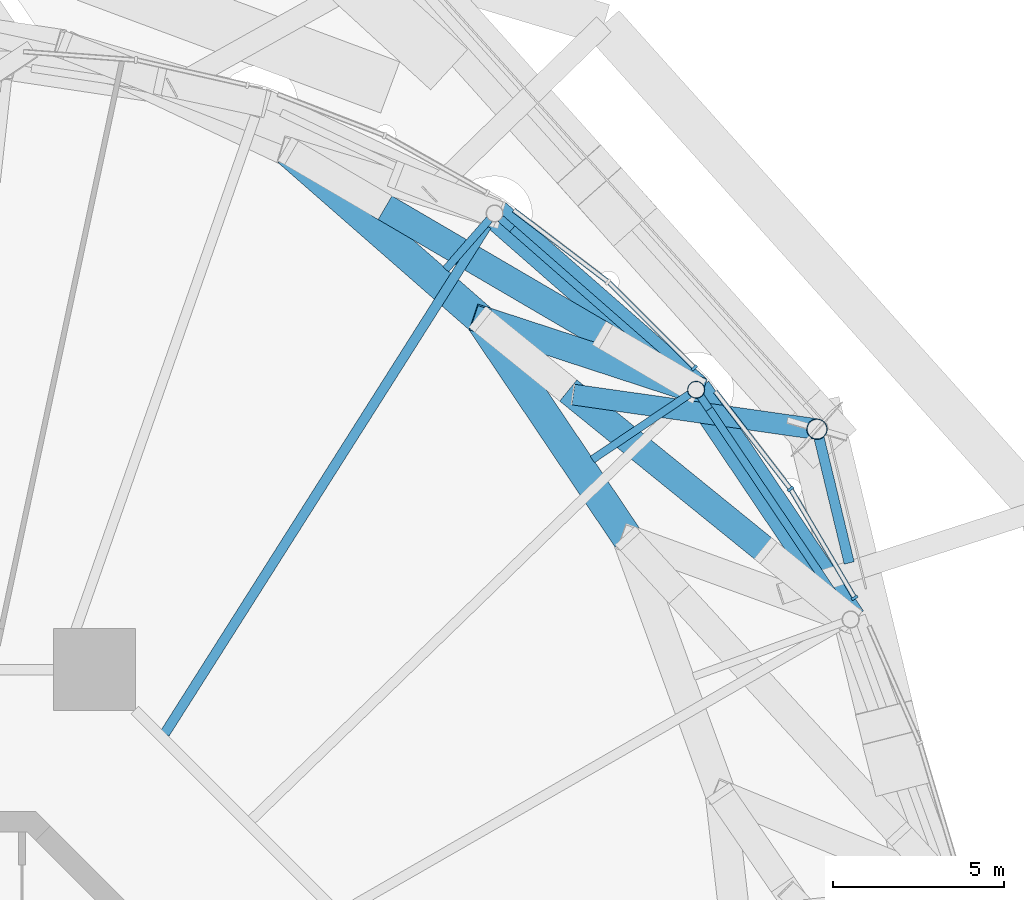
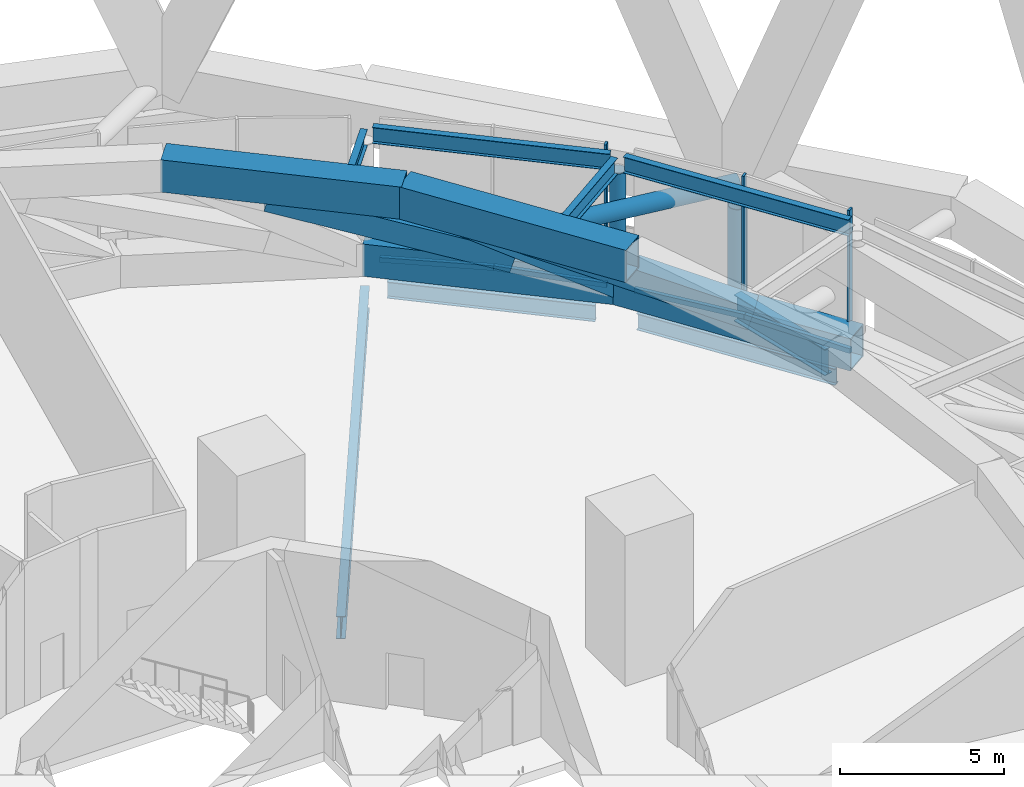
# One storey, part 21 of 51: 15 beams, 10 members, 4 elements without a shape of their own.
"""IFC4 building model written with IfcOpenShell, lengths in metres."""

from ifc_helpers import new_model, si_unit, direction, frame, origin, origin_2d, place, context, subcontext, project, spatial, rectangle, hollow_rectangle, hollow_circle, i_section, extrude, material, layer, layer_set, material_profile, profile_set, type_object, element, aggregate, save


model = new_model("IFC4")

# Units and contexts
model_context = context("Model", 3, precision=1e-05, world=origin(), true_north=direction((0.0, 1.0)))
body_context = subcontext(model_context, "Body", "Model", "MODEL_VIEW")
ifc_project = project(units=[si_unit("LENGTHUNIT", "METRE"), si_unit("AREAUNIT", "SQUARE_METRE"), si_unit("VOLUMEUNIT", "CUBIC_METRE"), si_unit("PLANEANGLEUNIT", "RADIAN"), si_unit("MASSUNIT", "GRAM", prefix="KILO")], contexts=[model_context])

# Site, building, storey
site_placement = place(None, origin())
site = spatial("IfcSite", under=ifc_project, at=site_placement, CompositionType="ELEMENT")
building_placement = place(site_placement, origin())
building = spatial("IfcBuilding", under=site, at=building_placement, Name="Nagisa Residences", CompositionType="ELEMENT")
storey_placement = place(building_placement, frame((0.0, 0.0, 67.699951171875)))
storey = spatial("IfcBuildingStorey", under=building, at=storey_placement, Name="L16", CompositionType="ELEMENT", Elevation=67.699951171875)

# Beams
ifc_material_1 = material(Name="Steel ASTM A572 Gr 50", Category="steel")
ifc_material_profile_1 = material_profile(ifc_material_1, hollow_rectangle(XDim=0.89990234375, YDim=1.199951171875, WallThickness=0.050048828125, at=origin_2d()), Name="BX 900x1200x50")
ifc_profile_set_1 = profile_set([ifc_material_profile_1], Name="Steel ASTM A572 Gr 50")
beam_type_1 = type_object("IfcBeamType", Name="Belt chord 1 BX 900x1200x50", PredefinedType="BEAM", material=ifc_profile_set_1)
beam_1_placement = place(storey_placement, frame((28.28173828125, 16.25, 0.60009765625), z_axis=(-0.558278389418, 0.829653686732, 0.0), x_axis=(-0.829653686732, -0.558278389418, 0.0)))
element("IfcBeam", 1, at=beam_1_placement, inside=storey, type_object=beam_type_1, Name="beam:L16:bt1b03", PredefinedType="BEAM", context=body_context, shape_type="SweptSolid", body=[
    extrude(hollow_rectangle(XDim=0.89990234375, YDim=1.199951171875, WallThickness=0.050048828125, at=origin_2d()), origin(), (0.0, 0.0, 1.0), 8.113037109375),
])
beam_2_placement = place(storey_placement, frame((21.75146484375, 18.625244140625, 4.739990234375), z_axis=(-0.558231952624, 0.829684932411, 0.0), x_axis=(-0.829684932411, -0.558231952624, 0.0)))
element("IfcBeam", 2, at=beam_2_placement, inside=storey, type_object=beam_type_1, Name="beam:L16:bt1t03", PredefinedType="BEAM", context=body_context, shape_type="SweptSolid", body=[
    extrude(hollow_rectangle(XDim=0.89990234375, YDim=1.199951171875, WallThickness=0.050048828125, at=origin_2d()), origin(), (0.0, 0.0, 1.0), 7.741943359375),
])
beam_3_placement = place(storey_placement, frame((23.75244140625, 22.98095703125, 0.60009765625), z_axis=(-0.752561268015, 0.658522237957, 0.0), x_axis=(-0.658522237957, -0.752561268015, 0.0)))
element("IfcBeam", 3, at=beam_3_placement, inside=storey, type_object=beam_type_1, Name="beam:L16:bt1b04", PredefinedType="BEAM", context=body_context, shape_type="SweptSolid", body=[
    extrude(hollow_rectangle(XDim=0.89990234375, YDim=1.199951171875, WallThickness=0.050048828125, at=origin_2d()), origin(), (0.0, 0.0, 1.0), 7.843017578125),
])
beam_4_placement = place(storey_placement, frame((17.4296875, 25.048583984375, 4.739990234375), z_axis=(-0.752518090627, 0.658571577947, 0.0), x_axis=(-0.658571577947, -0.752518090627, 0.0)))
element("IfcBeam", 4, at=beam_4_placement, inside=storey, type_object=beam_type_1, Name="beam:L16:bt1t04", PredefinedType="BEAM", context=body_context, shape_type="SweptSolid", body=[
    extrude(hollow_rectangle(XDim=0.89990234375, YDim=1.199951171875, WallThickness=0.050048828125, at=origin_2d()), origin(), (0.0, 0.0, 1.0), 7.484375),
])
ifc_material_2 = material(Name="Steel ASTM A572 Gr 50", Category="steel")
ifc_material_profile_2 = material_profile(ifc_material_2, hollow_rectangle(XDim=0.800048828125, YDim=0.800048828125, WallThickness=0.044921875, at=origin_2d()), Name="BX 800x800x45")
ifc_profile_set_2 = profile_set([ifc_material_profile_2], Name="Steel ASTM A572 Gr 50")
beam_type_2 = type_object("IfcBeamType", Name="Belt diagonal 1 BX 800x800x45", PredefinedType="BEAM", material=ifc_profile_set_2)
beam_5_placement = place(storey_placement, frame((25.79150390625, 18.26904296875, 1.550048828125), z_axis=(-0.744759055749, 0.603827726738, 0.284123257235), x_axis=(-0.629782471124, -0.776771548825, 0.0)))
element("IfcBeam", 5, at=beam_5_placement, inside=storey, type_object=beam_type_2, Name="beam:L16:bt1db03", PredefinedType="BEAM", context=body_context, shape_type="SweptSolid", body=[
    extrude(hollow_rectangle(XDim=0.800048828125, YDim=0.800048828125, WallThickness=0.044921875, at=origin_2d()), origin(), (0.0, 0.0, 1.0), 7.8837890625),
])
beam_6_placement = place(storey_placement, frame((23.75244140625, 22.98095703125, 0.60009765625), z_axis=(-0.806963504395, 0.263888096329, 0.528368219323), x_axis=(-0.310816646131, -0.950469890364, 0.0)))
element("IfcBeam", 6, at=beam_6_placement, inside=storey, type_object=beam_type_2, Name="beam:L16:bt1da04", PredefinedType="BEAM", context=body_context, shape_type="SweptSolid", body=[
    extrude(hollow_rectangle(XDim=0.800048828125, YDim=0.800048828125, WallThickness=0.044921875, at=origin_2d()), origin(), (0.0, 0.0, 1.0), 7.835205078125),
])
beam_7_placement = place(storey_placement, frame((21.00927734375, 24.58642578125, 1.550048828125), z_axis=(-0.82691893621, 0.483948104354, 0.286355208142), x_axis=(-0.505099906481, -0.863060881093, 0.0)))
element("IfcBeam", 7, at=beam_7_placement, inside=storey, type_object=beam_type_2, Name="beam:L16:bt1db04", PredefinedType="BEAM", context=body_context, shape_type="SweptSolid", body=[
    extrude(hollow_rectangle(XDim=0.800048828125, YDim=0.800048828125, WallThickness=0.044921875, at=origin_2d()), origin(), (0.0, 0.0, 1.0), 7.822509765625),
])

# Curtain wall, member
ifc_material_3 = material(Name="Aluminium curtain wall system", Category="aluminium")
ifc_layer = layer(ifc_material_3, 0.159912109375)
ifc_layer_set = layer_set([ifc_layer], Name="CW2 CURTAIN WALL")
curtain_wall_type = type_object("IfcCurtainWallType", Name="CW2 CURTAIN WALL", PredefinedType="NOTDEFINED", material=ifc_layer_set)
curtain_wall_1_placement = place(storey_placement, origin())
curtain_wall_1 = element("IfcCurtainWall", 8, at=curtain_wall_1_placement, inside=storey, type_object=curtain_wall_type, Name="cw:CW2:L16:04", PredefinedType="NOTDEFINED")
ifc_material_4 = material(Name="Aluminium", Category="aluminium")
ifc_material_profile_3 = material_profile(ifc_material_4, rectangle(XDim=0.199951171875, YDim=0.080078125, at=origin_2d()), Name="CW2 MULLION 200x80")
ifc_profile_set_3 = profile_set([ifc_material_profile_3], Name="Aluminium")
member_type_1 = type_object("IfcMemberType", Name="CW2 MULLION 200x80", PredefinedType="MULLION", material=ifc_profile_set_3)
member_1_placement = place(storey_placement, frame((28.397705078125, 16.882080078125, 0.0), z_axis=(0.0, 0.0, 1.0), x_axis=(-0.862328898214, -0.506348567002, 0.0)))
member_1 = element("IfcMember", 9, at=member_1_placement, type_object=member_type_1, Name="CW2 mullion", PredefinedType="MULLION", context=body_context, shape_type="SweptSolid", body=[
    extrude(rectangle(XDim=0.199951171875, YDim=0.080078125, at=origin_2d()), origin(), (0.0, 0.0, 1.0), 5.340087890625),
])

curtain_wall_2_placement = place(storey_placement, origin())
curtain_wall_2 = element("IfcCurtainWall", 10, at=curtain_wall_2_placement, inside=storey, type_object=curtain_wall_type, Name="cw:CW2:L16:05", PredefinedType="NOTDEFINED")
member_2_placement = place(storey_placement, frame((26.51953125, 20.072021484375, 0.0), z_axis=(0.0, 0.0, 1.0), x_axis=(-0.792070340816, -0.610429828235, 0.0)))
member_2 = element("IfcMember", 11, at=member_2_placement, type_object=member_type_1, Name="CW2 mullion", PredefinedType="MULLION", context=body_context, shape_type="SweptSolid", body=[
    extrude(rectangle(XDim=0.199951171875, YDim=0.080078125, at=origin_2d()), origin(), (0.0, 0.0, 1.0), 5.340087890625),
])

curtain_wall_3_placement = place(storey_placement, origin())
curtain_wall_3 = element("IfcCurtainWall", 12, at=curtain_wall_3_placement, inside=storey, type_object=curtain_wall_type, Name="cw:CW2:L16:06", PredefinedType="NOTDEFINED")
member_3_placement = place(storey_placement, frame((23.70263671875, 23.6240234375, 0.0), z_axis=(0.0, 0.0, 1.0), x_axis=(-0.706376885714, -0.707835924016, 0.0)))
member_3 = element("IfcMember", 13, at=member_3_placement, type_object=member_type_1, Name="CW2 mullion", PredefinedType="MULLION", context=body_context, shape_type="SweptSolid", body=[
    extrude(rectangle(XDim=0.199951171875, YDim=0.080078125, at=origin_2d()), origin(), (0.0, 0.0, 1.0), 5.340087890625),
])

# Member
ifc_material_5 = material(Name="Aluminium", Category="aluminium")
ifc_material_profile_4 = material_profile(ifc_material_5, rectangle(XDim=0.139892578125, YDim=0.179931640625, at=origin_2d()), Name="CW2 TRANSOM 140x180")
ifc_profile_set_4 = profile_set([ifc_material_profile_4], Name="Aluminium")
member_type_2 = type_object("IfcMemberType", Name="CW2 TRANSOM 140x180", PredefinedType="USERDEFINED", material=ifc_profile_set_4)
member_4_placement = place(storey_placement, frame((28.41796875, 16.84765625, 0.090087890625), z_axis=(-0.506367517086, 0.862317770686, 0.0), x_axis=(-0.862317770686, -0.506367517086, 0.0)))
member_4 = element("IfcMember", 14, at=member_4_placement, type_object=member_type_2, Name="CW2 transom", ObjectType="TRANSOM", PredefinedType="USERDEFINED", context=body_context, shape_type="SweptSolid", body=[
    extrude(rectangle(XDim=0.139892578125, YDim=0.179931640625, at=origin_2d()), origin(), (0.0, 0.0, 1.0), 3.7119140625),
])

aggregate(curtain_wall_1, [member_1, member_4])

member_5_placement = place(storey_placement, frame((26.5439453125, 20.040283203125, 0.090087890625), z_axis=(-0.61045449984, 0.792051326383, 0.0), x_axis=(-0.792051326383, -0.61045449984, 0.0)))
member_5 = element("IfcMember", 15, at=member_5_placement, type_object=member_type_2, Name="CW2 transom", ObjectType="TRANSOM", PredefinedType="USERDEFINED", context=body_context, shape_type="SweptSolid", body=[
    extrude(rectangle(XDim=0.139892578125, YDim=0.179931640625, at=origin_2d()), origin(), (0.0, 0.0, 1.0), 3.6474609375),
])

aggregate(curtain_wall_2, [member_2, member_5])

member_6_placement = place(storey_placement, frame((23.73095703125, 23.595703125, 0.090087890625), z_axis=(-0.707822631018, 0.706390205919, 0.0), x_axis=(-0.706390205919, -0.707822631018, 0.0)))
member_6 = element("IfcMember", 16, at=member_6_placement, type_object=member_type_2, Name="CW2 transom", ObjectType="TRANSOM", PredefinedType="USERDEFINED", context=body_context, shape_type="SweptSolid", body=[
    extrude(rectangle(XDim=0.139892578125, YDim=0.179931640625, at=origin_2d()), origin(), (0.0, 0.0, 1.0), 3.5791015625),
])

aggregate(curtain_wall_3, [member_3, member_6])

# Curtain wall, member
curtain_wall_4_placement = place(storey_placement, origin())
curtain_wall_4 = element("IfcCurtainWall", 17, at=curtain_wall_4_placement, inside=storey, type_object=curtain_wall_type, Name="cw:CW2:L16:07", PredefinedType="NOTDEFINED")
member_7_placement = place(storey_placement, frame((21.20556640625, 26.116943359375, 0.090087890625), z_axis=(-0.796020180418, 0.605270082168, 0.0), x_axis=(-0.605270082168, -0.796020180418, 0.0)))
member_7 = element("IfcMember", 18, at=member_7_placement, type_object=member_type_2, Name="CW2 transom", ObjectType="TRANSOM", PredefinedType="USERDEFINED", context=body_context, shape_type="SweptSolid", body=[
    extrude(rectangle(XDim=0.139892578125, YDim=0.179931640625, at=origin_2d()), origin(), (0.0, 0.0, 1.0), 3.511962890625),
])
aggregate(curtain_wall_4, [member_7])

# Member
ifc_material_6 = material(Name="Steel ASTM A572 Gr 65", Category="steel")
ifc_material_profile_5 = material_profile(ifc_material_6, hollow_circle(Radius=0.304931640625, WallThickness=0.02490234375, at=origin_2d()), Name="CHS 610x25")
ifc_profile_set_5 = profile_set([ifc_material_profile_5], Name="Steel ASTM A572 Gr 65")
member_type_3 = type_object("IfcMemberType", Name="Cage strut CHS 610x25", PredefinedType="STRUT", material=ifc_profile_set_5)
member_8_placement = place(storey_placement, frame((27.294189453125, 21.8251953125, 3.699951171875), z_axis=(-0.990077084758, 0.140525322403, 0.0), x_axis=(-0.140525322403, -0.990077084758, 0.0)))
element("IfcMember", 19, at=member_8_placement, inside=storey, type_object=member_type_3, Name="mem:L16:bt1st2b02", PredefinedType="STRUT", context=body_context, shape_type="SweptSolid", body=[
    extrude(hollow_circle(Radius=0.304931640625, WallThickness=0.02490234375, at=origin_2d()), origin(), (0.0, 0.0, 1.0), 7.2099609375),
])

# Beam
ifc_material_7 = material(Name="Steel ASTM A572 Gr 50", Category="steel")
ifc_material_profile_6 = material_profile(ifc_material_7, i_section(OverallWidth=0.300048828125, OverallDepth=0.97998046875, WebThickness=0.0166015625, FlangeThickness=0.02587890625, at=origin_2d()), Name="W1000x249")
ifc_profile_set_6 = profile_set([ifc_material_profile_6], Name="Steel ASTM A572 Gr 50")
beam_type_3 = type_object("IfcBeamType", Name="Deck edge beam W1000x249", PredefinedType="BEAM", material=ifc_profile_set_6)
beam_8_placement = place(storey_placement, frame((28.237060546875, 17.906005859375, -0.889892578125), z_axis=(-0.233904355583, 0.972259611647, 0.0), x_axis=(-0.972259611647, -0.233904355583, 0.0)))
element("IfcBeam", 20, at=beam_8_placement, inside=storey, type_object=beam_type_3, Name="beam:L16:deckedge01", PredefinedType="BEAM", context=body_context, shape_type="SweptSolid", body=[
    extrude(i_section(OverallWidth=0.300048828125, OverallDepth=0.97998046875, WebThickness=0.0166015625, FlangeThickness=0.02587890625, at=origin_2d()), origin(), (0.0, 0.0, 1.0), 4.031005859375),
])

# Member
ifc_material_8 = material(Name="Steel ASTM A572 Gr 65", Category="steel")
ifc_material_profile_7 = material_profile(ifc_material_8, hollow_circle(Radius=0.304931640625, WallThickness=0.02490234375, at=origin_2d()), Name="CHS 610x25")
ifc_profile_set_7 = profile_set([ifc_material_profile_7], Name="Steel ASTM A572 Gr 65")
member_type_4 = type_object("IfcMemberType", Name="Deck hanger CHS 610x25", PredefinedType="POST", material=ifc_profile_set_7)
member_9_placement = place(storey_placement, frame((27.294189453125, 21.8251953125, 2.900146484375), z_axis=(0.0, 0.0, -1.0), x_axis=(1.0, 0.0, 0.0)))
element("IfcMember", 21, at=member_9_placement, inside=storey, type_object=member_type_4, Name="mem:L16:deckhanger01", PredefinedType="POST", context=body_context, shape_type="SweptSolid", body=[
    extrude(hollow_circle(Radius=0.304931640625, WallThickness=0.02490234375, at=origin_2d()), origin(), (0.0, 0.0, 1.0), 3.7900390625),
])

# Beams
ifc_material_9 = material(Name="Steel ASTM A572 Gr 50", Category="steel")
ifc_material_profile_8 = material_profile(ifc_material_9, i_section(OverallWidth=0.22802734375, OverallDepth=0.60302734375, WebThickness=0.010498046875, FlangeThickness=0.014892578125, at=origin_2d()), Name="W610x101")
ifc_profile_set_8 = profile_set([ifc_material_profile_8], Name="Steel ASTM A572 Gr 50")
beam_type_4 = type_object("IfcBeamType", Name="Garden edge beam W610x101", PredefinedType="BEAM", material=ifc_profile_set_8)
beam_9_placement = place(storey_placement, frame((28.151123046875, 16.444091796875, 5.03857421875), z_axis=(-0.558276619437, 0.829654877759, 0.0), x_axis=(-0.829654877759, -0.558276619437, 0.0)))
element("IfcBeam", 22, at=beam_9_placement, inside=storey, type_object=beam_type_4, Name="beam:L16:bt1ge03", PredefinedType="BEAM", context=body_context, shape_type="SweptSolid", body=[
    extrude(i_section(OverallWidth=0.22802734375, OverallDepth=0.60302734375, WebThickness=0.010498046875, FlangeThickness=0.014892578125, at=origin_2d()), origin(), (0.0, 0.0, 1.0), 7.64501953125),
])
beam_10_placement = place(storey_placement, frame((23.576416015625, 23.135009765625, 5.03857421875), z_axis=(-0.752564390793, 0.65851866922, 0.0), x_axis=(-0.65851866922, -0.752564390793, 0.0)))
element("IfcBeam", 23, at=beam_10_placement, inside=storey, type_object=beam_type_4, Name="beam:L16:bt1ge04", PredefinedType="BEAM", context=body_context, shape_type="SweptSolid", body=[
    extrude(i_section(OverallWidth=0.22802734375, OverallDepth=0.60302734375, WebThickness=0.010498046875, FlangeThickness=0.014892578125, at=origin_2d()), origin(), (0.0, 0.0, 1.0), 7.375244140625),
])

# Member
ifc_material_10 = material(Name="Steel ASTM A572 Gr 65", Category="steel")
ifc_material_profile_9 = material_profile(ifc_material_10, hollow_circle(Radius=0.25390625, WallThickness=0.02001953125, at=origin_2d()), Name="CHS 508x20")
ifc_profile_set_9 = profile_set([ifc_material_profile_9], Name="Steel ASTM A572 Gr 65")
member_type_5 = type_object("IfcMemberType", Name="Garden edge post CHS 508x20", PredefinedType="POST", material=ifc_profile_set_9)
member_10_placement = place(storey_placement, frame((23.75244140625, 22.98095703125, 1.199951171875), z_axis=(0.0, 0.0, 1.0), x_axis=(1.0, 0.0, 0.0)))
element("IfcMember", 24, at=member_10_placement, inside=storey, type_object=member_type_5, Name="mem:L16:gp104", PredefinedType="POST", context=body_context, shape_type="SweptSolid", body=[
    extrude(hollow_circle(Radius=0.25390625, WallThickness=0.02001953125, at=origin_2d()), origin(), (0.0, 0.0, 1.0), 3.537109375),
])

# Beams
ifc_material_11 = material(Name="Steel ASTM A572 Gr 50", Category="steel")
ifc_material_profile_10 = material_profile(ifc_material_11, i_section(OverallWidth=0.22802734375, OverallDepth=0.60302734375, WebThickness=0.010498046875, FlangeThickness=0.014892578125, at=origin_2d()), Name="W610x101")
ifc_profile_set_10 = profile_set([ifc_material_profile_10], Name="Steel ASTM A572 Gr 50")
beam_type_5 = type_object("IfcBeamType", Name="Garden radial beam W610x101", PredefinedType="BEAM", material=ifc_profile_set_10)
beam_11_placement = place(storey_placement, frame((23.558349609375, 22.850341796875, 5.03857421875), z_axis=(-0.829708915209, -0.558196305991, 0.0), x_axis=(0.558196305991, -0.829708915209, 0.0)))
element("IfcBeam", 25, at=beam_11_placement, inside=storey, type_object=beam_type_5, Name="beam:L16:bt1gr04", PredefinedType="BEAM", context=body_context, shape_type="SweptSolid", body=[
    extrude(i_section(OverallWidth=0.22802734375, OverallDepth=0.60302734375, WebThickness=0.010498046875, FlangeThickness=0.014892578125, at=origin_2d()), origin(), (0.0, 0.0, 1.0), 3.427734375),
])
beam_12_placement = place(storey_placement, frame((17.69580078125, 27.9697265625, 5.03857421875), z_axis=(-0.65849571443, -0.752584476373, 0.0), x_axis=(0.752584476373, -0.65849571443, 0.0)))
element("IfcBeam", 26, at=beam_12_placement, inside=storey, type_object=beam_type_5, Name="beam:L16:bt1gr05", PredefinedType="BEAM", context=body_context, shape_type="SweptSolid", body=[
    extrude(i_section(OverallWidth=0.22802734375, OverallDepth=0.60302734375, WebThickness=0.010498046875, FlangeThickness=0.014892578125, at=origin_2d()), origin(), (0.0, 0.0, 1.0), 1.943603515625),
])
ifc_material_12 = material(Name="Steel ASTM A572 Gr 50", Category="steel")
ifc_material_profile_11 = material_profile(ifc_material_12, i_section(OverallWidth=0.22900390625, OverallDepth=0.612060546875, WebThickness=0.011962890625, FlangeThickness=0.01953125, at=origin_2d()), Name="W610x125")
ifc_profile_set_11 = profile_set([ifc_material_profile_11], Name="Steel ASTM A572 Gr 50")
beam_type_6 = type_object("IfcBeamType", Name="Perimeter ring beam W610x125", PredefinedType="BEAM", material=ifc_profile_set_11)
beam_13_placement = place(storey_placement, frame((27.899169921875, 16.818603515625, -0.656005859375), z_axis=(-0.558271879663, 0.829658067144, 0.0), x_axis=(-0.829658067144, -0.558271879663, 0.0)))
element("IfcBeam", 27, at=beam_13_placement, inside=storey, type_object=beam_type_6, Name="beam:L16:pb03", PredefinedType="BEAM", context=body_context, shape_type="SweptSolid", body=[
    extrude(i_section(OverallWidth=0.22900390625, OverallDepth=0.612060546875, WebThickness=0.011962890625, FlangeThickness=0.01953125, at=origin_2d()), origin(), (0.0, 0.0, 1.0), 6.74169921875),
])
beam_14_placement = place(storey_placement, frame((23.236328125, 23.432861328125, -0.656005859375), z_axis=(-0.7525907186, 0.658488580217, 0.0), x_axis=(-0.658488580217, -0.7525907186, 0.0)))
element("IfcBeam", 28, at=beam_14_placement, inside=storey, type_object=beam_type_6, Name="beam:L16:pb04", PredefinedType="BEAM", context=body_context, shape_type="SweptSolid", body=[
    extrude(i_section(OverallWidth=0.22900390625, OverallDepth=0.612060546875, WebThickness=0.011962890625, FlangeThickness=0.01953125, at=origin_2d()), origin(), (0.0, 0.0, 1.0), 6.470458984375),
])
ifc_material_13 = material(Name="Steel ASTM A572 Gr 50", Category="steel")
ifc_material_profile_12 = material_profile(ifc_material_13, i_section(OverallWidth=0.2919921875, OverallDepth=0.8349609375, WebThickness=0.013916015625, FlangeThickness=0.018798828125, at=origin_2d()), Name="W840x176")
ifc_profile_set_12 = profile_set([ifc_material_profile_12], Name="Steel ASTM A572 Gr 50")
beam_type_7 = type_object("IfcBeamType", Name="Radial beam W840x176", PredefinedType="BEAM", material=ifc_profile_set_12)
beam_15_placement = place(storey_placement, frame((17.61962890625, 27.78271484375, -0.767333984375), z_axis=(-0.535569991615, -0.844490843101, 0.0), x_axis=(0.844490843101, -0.535569991615, 0.0)))
element("IfcBeam", 29, at=beam_15_placement, inside=storey, type_object=beam_type_7, Name="beam:L16:rb05", PredefinedType="BEAM", context=body_context, shape_type="SweptSolid", body=[
    extrude(i_section(OverallWidth=0.2919921875, OverallDepth=0.8349609375, WebThickness=0.013916015625, FlangeThickness=0.018798828125, at=origin_2d()), origin(), (0.0, 0.0, 1.0), 17.614990234375),
])

save(model, "model.ifc")
